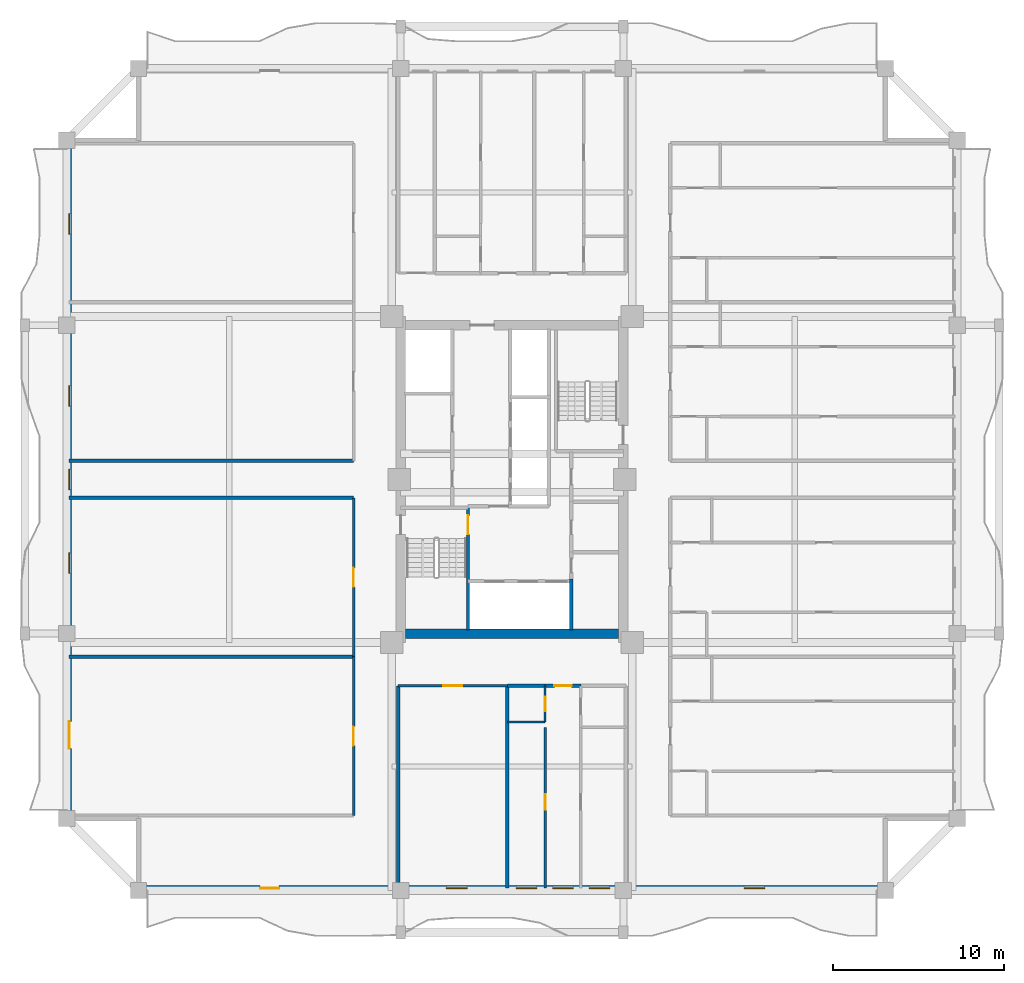
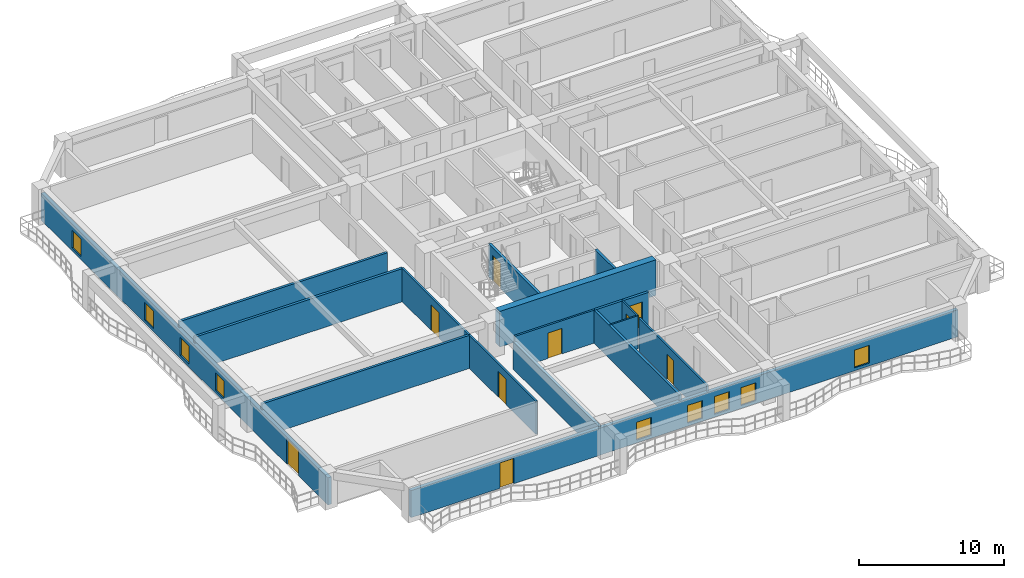
# One storey, part 2 of 12: 18 walls, 9 doors, 9 windows, 18 openings.
"""IFC4 building model written with IfcOpenShell, lengths in metres."""

import ifcopenshell
import ifcopenshell.guid

model = None  # the IFC model being written
_history = None  # IfcOwnerHistory: only IFC2X3 demands one
_inside = {}  # id of a spatial element -> (the spatial element, [elements in it])
_under = {}  # id of a project, library or spatial element -> (it, [spatial elements below it])
_declared = {}  # id of a project -> (the project, [libraries it declares])
_typed = {}  # id of a type object -> (the type object, [elements of that type])
_made_of = {}  # id of a material, layer set ... -> (it, [elements and type objects made of it])


def new_model(schema):
    """Start an empty IFC model of exactly this schema.

    Asked for "IFC4X3", IfcOpenShell would pick the latest addendum, in which some entities
    have other attributes; the version numbers below select the first issue.
    IFC2X3 requires an IfcOwnerHistory on every rooted entity: one is made here for all.
    """
    global model, _history
    if schema == "IFC4X3":
        model = ifcopenshell.file(schema_version=(4, 3, 0, 0))
    else:
        model = ifcopenshell.file(schema=schema)
    _inside.clear()
    _under.clear()
    _declared.clear()
    _typed.clear()
    _made_of.clear()
    _history = None
    if model.schema == "IFC2X3":
        org = make("IfcOrganization", Name="unknown")
        user = make(
            "IfcPersonAndOrganization",
            ThePerson=make("IfcPerson", FamilyName="unknown"),
            TheOrganization=org,
        )
        app = make(
            "IfcApplication",
            ApplicationDeveloper=org,
            Version="unknown",
            ApplicationFullName="unknown",
            ApplicationIdentifier="unknown",
        )
        _history = make(
            "IfcOwnerHistory",
            OwningUser=user,
            OwningApplication=app,
            ChangeAction="ADDED",
            CreationDate=0,
        )
    return model


def make(cls, **values):
    """One entity of the class cls with the attributes given. An attribute that is None is left unset."""
    return model.create_entity(
        cls, **{name: value for name, value in values.items() if value is not None}
    )


def rooted(cls, **values):
    """An entity with a GlobalId (a new one), such as an element, a storey or a relation."""
    return make(cls, GlobalId=ifcopenshell.guid.new(), OwnerHistory=_history, **values)


def si_unit(unit_type, name, prefix=None):
    """IfcSIUnit, for example si_unit("LENGTHUNIT", "METRE", prefix="MILLI")."""
    return make("IfcSIUnit", UnitType=unit_type, Prefix=prefix, Name=name)


def assignment(units):
    """IfcUnitAssignment: the units of a project."""
    return None if units is None else make("IfcUnitAssignment", Units=units)


def point(xyz):
    """IfcCartesianPoint."""
    return None if xyz is None else make("IfcCartesianPoint", Coordinates=xyz)


def direction(xyz):
    """IfcDirection."""
    return None if xyz is None else make("IfcDirection", DirectionRatios=xyz)


def frame(location, z_axis=None, x_axis=None):
    """IfcAxis2Placement3D, a coordinate frame: its origin and axes. An axis left out is left unset."""
    return make(
        "IfcAxis2Placement3D",
        Location=point(location),
        Axis=direction(z_axis),
        RefDirection=direction(x_axis),
    )


def frame_2d(location, x_axis=None):
    """IfcAxis2Placement2D, a coordinate frame in the plane: its origin and x axis."""
    return make(
        "IfcAxis2Placement2D", Location=point(location), RefDirection=direction(x_axis)
    )


def origin():
    """The frame at (0, 0, 0) with its axes left unset."""
    return frame((0.0, 0.0, 0.0))


def place(relative_to, where):
    """IfcLocalPlacement: puts the frame where relative to a parent placement (None: the world)."""
    return make(
        "IfcLocalPlacement", PlacementRelTo=relative_to, RelativePlacement=where
    )


def context(
    kind, dimensions, precision=None, world=None, true_north=None, identifier=None
):
    """IfcGeometricRepresentationContext, for example the 3D "Model" context."""
    return make(
        "IfcGeometricRepresentationContext",
        ContextIdentifier=identifier,
        ContextType=kind,
        CoordinateSpaceDimension=dimensions,
        Precision=precision,
        WorldCoordinateSystem=world,
        TrueNorth=true_north,
    )


def subcontext(parent, identifier, kind, view, scale=None):
    """IfcGeometricRepresentationSubContext, for example "Body" below "Model"."""
    return make(
        "IfcGeometricRepresentationSubContext",
        ContextIdentifier=identifier,
        ContextType=kind,
        ParentContext=parent,
        TargetScale=scale,
        TargetView=view,
    )


def project(units=None, contexts=None):
    """IfcProject with its units and contexts."""
    return rooted(
        "IfcProject",
        Name="project",
        RepresentationContexts=contexts,
        UnitsInContext=assignment(units),
    )


def spatial(cls, under=None, at=None, **own):
    """A site, building, storey or space (cls), placed at a placement, below another one or the project."""
    s = rooted(cls, ObjectPlacement=at, **own)
    if under is not None:
        _under.setdefault(under.id(), (under, []))[1].append(s)
    return s


def profile(cls, at=None, kind="AREA", **sizes):
    """A parametric profile (cls). Its sizes go by their IFC names, for example OverallWidth=200.0."""
    return make(cls, ProfileType=kind, Position=at, **sizes)


def rectangle(**sizes):
    """IfcRectangleProfileDef."""
    return profile("IfcRectangleProfileDef", **sizes)


def extrude(swept, where, along, depth):
    """IfcExtrudedAreaSolid: the profile swept, set in the frame where, extruded along a direction by depth."""
    return make(
        "IfcExtrudedAreaSolid",
        SweptArea=swept,
        Position=where,
        ExtrudedDirection=direction(along),
        Depth=depth,
    )


def shape(context_of_items, identifier, shape_type, items):
    """IfcShapeRepresentation: the items that make up one representation, for example the "Body"."""
    return make(
        "IfcShapeRepresentation",
        ContextOfItems=context_of_items,
        RepresentationIdentifier=identifier,
        RepresentationType=shape_type,
        Items=items,
    )


def source(mapping_origin, context_of_items, identifier, shape_type, items):
    """IfcRepresentationMap: a shape defined once, which mapped items show again and again."""
    return make(
        "IfcRepresentationMap",
        MappingOrigin=mapping_origin,
        MappedRepresentation=shape(context_of_items, identifier, shape_type, items),
    )


def transform(
    local_origin,
    x_axis=None,
    y_axis=None,
    z_axis=None,
    scale=None,
    scale2=None,
    scale3=None,
    uniform=True,
):
    """IfcCartesianTransformationOperator3D, or its non-uniform kind. x_axis, y_axis, z_axis: its Axis1, 2, 3."""
    if uniform:
        return make(
            "IfcCartesianTransformationOperator3D",
            Axis1=direction(x_axis),
            Axis2=direction(y_axis),
            LocalOrigin=point(local_origin),
            Scale=scale,
            Axis3=direction(z_axis),
        )
    return make(
        "IfcCartesianTransformationOperator3DnonUniform",
        Axis1=direction(x_axis),
        Axis2=direction(y_axis),
        LocalOrigin=point(local_origin),
        Scale=scale,
        Axis3=direction(z_axis),
        Scale2=scale2,
        Scale3=scale3,
    )


def mapped(mapping_source, mapping_target):
    """IfcMappedItem: shows the shape of a source again, moved by a transform."""
    return make(
        "IfcMappedItem", MappingSource=mapping_source, MappingTarget=mapping_target
    )


def material(Name=None, Category=None):
    """IfcMaterial."""
    return make("IfcMaterial", Name=Name, Category=Category)


def layer(
    of_material, thickness, ventilated=None, Name=None, Category=None, Priority=None
):
    """IfcMaterialLayer: one layer of a wall or slab, of a material (None: an air gap)."""
    return make(
        "IfcMaterialLayer",
        Material=of_material,
        LayerThickness=thickness,
        IsVentilated=ventilated,
        Name=Name,
        Category=Category,
        Priority=Priority,
    )


def layer_set(layers, Name=None):
    """IfcMaterialLayerSet."""
    return make("IfcMaterialLayerSet", MaterialLayers=layers, LayerSetName=Name)


def made_of(thing, what):
    """Note that an element or type object is made of a material, layer set ...; save() writes the relation."""
    if what is not None:
        _made_of.setdefault(what.id(), (what, []))[1].append(thing)
    return thing


def type_object(cls, material=None, **own):
    """A type object (cls), such as IfcWallType, which elements share."""
    return made_of(rooted(cls, **own), material)


def element(
    cls,
    number,
    at=None,
    inside=None,
    cuts=None,
    type_object=None,
    material=None,
    context=None,
    identifier="Body",
    shape_type=None,
    held_by="IfcProductDefinitionShape",
    body=None,
    shapes=None,
    **own,
):
    """One element of the class cls, such as IfcWall. Its Tag is "e" and its number.

    at: its placement. inside: the storey or other place that contains it. cuts: it is an
    opening in that element (IfcRelVoidsElement). A single representation is given by context,
    identifier, shape_type and body (its items); several are given by shapes. held_by: the class
    of the entity that holds the representations. save() writes the other relations.
    """
    e = rooted(cls, Tag="e%d" % number, ObjectPlacement=at, **own)
    if body is not None:
        shapes = [shape(context, identifier, shape_type, body)]
    if shapes is not None:
        e.Representation = make(held_by, Representations=shapes)
    if inside is not None:
        _inside.setdefault(inside.id(), (inside, []))[1].append(e)
    if cuts is not None:
        rooted(
            "IfcRelVoidsElement", RelatingBuildingElement=cuts, RelatedOpeningElement=e
        )
    if type_object is not None:
        _typed.setdefault(type_object.id(), (type_object, []))[1].append(e)
    return made_of(e, material)


def fill(opening, filler):
    """IfcRelFillsElement: the door or window that sits in an opening."""
    return rooted(
        "IfcRelFillsElement",
        RelatingOpeningElement=opening,
        RelatedBuildingElement=filler,
    )


def aggregate(whole, parts):
    """IfcRelAggregates: a whole, such as a stair, and the parts it consists of."""
    return rooted("IfcRelAggregates", RelatingObject=whole, RelatedObjects=parts)


def save(model, path):
    """Write the relations noted so far, then the file.

    IfcRelAggregates (storeys below a building ...), IfcRelContainedInSpatialStructure (elements
    in a storey), IfcRelDefinesByType, IfcRelAssociatesMaterial and IfcRelDeclares: one each for
    every whole, place, type object, material and project.
    """
    for whole, parts in _under.values():
        aggregate(whole, parts)
    for where, things in _inside.values():
        rooted(
            "IfcRelContainedInSpatialStructure",
            RelatedElements=things,
            RelatingStructure=where,
        )
    for kind, things in _typed.values():
        rooted("IfcRelDefinesByType", RelatedObjects=things, RelatingType=kind)
    for what, things in _made_of.values():
        rooted("IfcRelAssociatesMaterial", RelatedObjects=things, RelatingMaterial=what)
    for by, libraries in _declared.values():
        rooted("IfcRelDeclares", RelatingContext=by, RelatedDefinitions=libraries)
    model.write(path)


model = new_model("IFC4")

# Units and contexts
model_context = context("Model", 3, precision=1e-05, world=origin(), true_north=direction((0.0, 1.0)))
body_context = subcontext(model_context, "Body", "Model", "MODEL_VIEW")
ifc_project = project(units=[si_unit("LENGTHUNIT", "METRE"), si_unit("AREAUNIT", "SQUARE_METRE"), si_unit("VOLUMEUNIT", "CUBIC_METRE"), si_unit("PLANEANGLEUNIT", "RADIAN"), si_unit("MASSUNIT", "GRAM", prefix="KILO")], contexts=[model_context])

# Site, building, storey
site_placement = place(None, origin())
site = spatial("IfcSite", under=ifc_project, at=site_placement, CompositionType="ELEMENT")
building_placement = place(site_placement, origin())
building = spatial("IfcBuilding", under=site, at=building_placement, Name="Saelheon Loggia Tower", CompositionType="ELEMENT")
storey_placement = place(building_placement, frame((0.0, 0.0, 101.85009765625)))
storey = spatial("IfcBuildingStorey", under=building, at=storey_placement, Name="L32", CompositionType="ELEMENT", Elevation=101.85009765625)

# Wall
ifc_material_1 = material(Name="Concrete C50/60", Category="concrete")
ifc_layer_1 = layer(ifc_material_1, 0.550048828125)
ifc_layer_set_1 = layer_set([ifc_layer_1], Name="Concrete C50/60")
wall_type_1 = type_object("IfcWallType", Name="Wall_CoreShear_550", PredefinedType="SHEAR", material=ifc_layer_set_1)
wall_1_placement = place(storey_placement, frame((31.77490234375, 18.0, 0.0), z_axis=(0.0, 0.0, 1.0), x_axis=(1.0, 0.0, 0.0)))
element("IfcWall", 1, at=wall_1_placement, inside=storey, type_object=wall_type_1, Name="L32 Core Shear Wall South", PredefinedType="SHEAR", context=body_context, shape_type="SweptSolid", body=[
    extrude(rectangle(XDim=12.4501953125, YDim=0.550048828125, at=frame_2d((6.22509765625, 0.0))), origin(), (0.0, 0.0, 1.0), 3.0),
])

# Wall, openings, windows, door
ifc_material_2 = material(Name="Architectural Precast Concrete C40/50", Category="concrete")
ifc_layer_2 = layer(ifc_material_2, 0.280029296875)
ifc_layer_set_2 = layer_set([ifc_layer_2], Name="Architectural Precast Concrete C40/50")
wall_type_2 = type_object("IfcWallType", Name="Wall_Ext_Loggia_280", PredefinedType="SOLIDWALL", material=ifc_layer_set_2)
wall_2_placement = place(storey_placement, frame((16.199951171875, 3.139892578125, 0.0), z_axis=(0.0, 0.0, 1.0), x_axis=(1.0, 0.0, 0.0)))
wall_2 = element("IfcWall", 2, at=wall_2_placement, inside=storey, type_object=wall_type_2, Name="L32 South Loggia Inner Wall", PredefinedType="SOLIDWALL", context=body_context, shape_type="SweptSolid", body=[
    extrude(rectangle(XDim=43.60009765625, YDim=0.280029296875, at=frame_2d((21.800048828125, 0.0))), origin(), (0.0, 0.0, 1.0), 2.27978515625),
])
opening_1_placement = place(wall_2_placement, frame((8.2001953125, 0.0, 0.0), z_axis=(0.0, 0.0, 1.0), x_axis=(-1.0, 0.0, 0.0)))
opening_1 = element("IfcOpeningElement", 3, at=opening_1_placement, cuts=wall_2, Name="Opening TD1", PredefinedType="OPENING", context=body_context, shape_type="SweptSolid", body=[
    extrude(rectangle(XDim=1.10009765625, YDim=2.14990234375, at=frame_2d((0.550048828125, 1.074951171875))), frame((0.0, 0.152099609375, 0.0), z_axis=(0.0, -1.0, 0.0), x_axis=(1.0, 0.0, 0.0)), (0.0, 0.0, 1.0), 0.303955078125),
])
opening_2_placement = place(wall_2_placement, frame((17.974609375, 0.0, 0.25)))
opening_2 = element("IfcOpeningElement", 4, at=opening_2_placement, cuts=wall_2, Name="Opening WN-03", PredefinedType="OPENING", context=body_context, shape_type="SweptSolid", body=[
    extrude(rectangle(XDim=1.199951171875, YDim=1.5, at=frame_2d((0.60009765625, 0.75))), frame((0.0, 0.152099609375, 0.0), z_axis=(0.0, -1.0, 0.0), x_axis=(1.0, 0.0, 0.0)), (0.0, 0.0, 1.0), 0.303955078125),
])
opening_3_placement = place(wall_2_placement, frame((22.033935546875, 0.0, 0.25)))
opening_3 = element("IfcOpeningElement", 5, at=opening_3_placement, cuts=wall_2, Name="Opening WN-03", PredefinedType="OPENING", context=body_context, shape_type="SweptSolid", body=[
    extrude(rectangle(XDim=1.199951171875, YDim=1.5, at=frame_2d((0.60009765625, 0.75))), frame((0.0, 0.152099609375, 0.0), z_axis=(0.0, -1.0, 0.0), x_axis=(1.0, 0.0, 0.0)), (0.0, 0.0, 1.0), 0.303955078125),
])
opening_4_placement = place(wall_2_placement, frame((24.177978515625, 0.0, 0.25)))
opening_4 = element("IfcOpeningElement", 6, at=opening_4_placement, cuts=wall_2, Name="Opening WN-03", PredefinedType="OPENING", context=body_context, shape_type="SweptSolid", body=[
    extrude(rectangle(XDim=1.199951171875, YDim=1.5, at=frame_2d((0.60009765625, 0.75))), frame((0.0, 0.152099609375, 0.0), z_axis=(0.0, -1.0, 0.0), x_axis=(1.0, 0.0, 0.0)), (0.0, 0.0, 1.0), 0.303955078125),
])
opening_5_placement = place(wall_2_placement, frame((26.303466796875, 0.0, 0.25)))
opening_5 = element("IfcOpeningElement", 7, at=opening_5_placement, cuts=wall_2, Name="Opening WN-03", PredefinedType="OPENING", context=body_context, shape_type="SweptSolid", body=[
    extrude(rectangle(XDim=1.199951171875, YDim=1.5, at=frame_2d((0.60009765625, 0.75))), frame((0.0, 0.152099609375, 0.0), z_axis=(0.0, -1.0, 0.0), x_axis=(1.0, 0.0, 0.0)), (0.0, 0.0, 1.0), 0.303955078125),
])
opening_6_placement = place(wall_2_placement, frame((35.35009765625, 0.0, 0.25)))
opening_6 = element("IfcOpeningElement", 8, at=opening_6_placement, cuts=wall_2, Name="Opening WN-03", PredefinedType="OPENING", context=body_context, shape_type="SweptSolid", body=[
    extrude(rectangle(XDim=1.199951171875, YDim=1.5, at=frame_2d((0.60009765625, 0.75))), frame((0.0, 0.152099609375, 0.0), z_axis=(0.0, -1.0, 0.0), x_axis=(1.0, 0.0, 0.0)), (0.0, 0.0, 1.0), 0.303955078125),
])
ifc_material_3 = material(Name="Thermal-Break Aluminium and Triple Low-E Glass", Category="aluminium")
window_type = type_object("IfcWindowType", Name="Win_Bedroom_1200x1500", PartitioningType="SINGLE_PANEL", PredefinedType="WINDOW", material=ifc_material_3)
shared_shape_1 = source(origin(), body_context, "Body", "SweptSolid", [
    extrude(rectangle(XDim=1.199951171875, YDim=1.5, at=frame_2d((0.60009765625, 0.75))), frame((0.0, 0.030029296875, 0.0), z_axis=(0.0, -1.0, 0.0), x_axis=(1.0, 0.0, 0.0)), (0.0, 0.0, 1.0), 0.06005859375),
])
window_1_placement = place(opening_2_placement, origin())
window_1 = element("IfcWindow", 9, at=window_1_placement, inside=storey, type_object=window_type, Name="L32 S Dwelling Window 2", OverallHeight=1.5, OverallWidth=1.199951171875, PartitioningType="SINGLE_PANEL", PredefinedType="WINDOW", context=body_context, shape_type="MappedRepresentation", body=[
    mapped(shared_shape_1, transform((0.0, 0.0, 0.0), scale=1.0)),
])
fill(opening_2, window_1)
window_2_placement = place(opening_3_placement, origin())
window_2 = element("IfcWindow", 10, at=window_2_placement, inside=storey, type_object=window_type, Name="L32 S Dwelling Window 3", OverallHeight=1.5, OverallWidth=1.199951171875, PartitioningType="SINGLE_PANEL", PredefinedType="WINDOW", context=body_context, shape_type="MappedRepresentation", body=[
    mapped(shared_shape_1, transform((0.0, 0.0, 0.0), scale=1.0)),
])
fill(opening_3, window_2)
window_3_placement = place(opening_4_placement, origin())
window_3 = element("IfcWindow", 11, at=window_3_placement, inside=storey, type_object=window_type, Name="L32 S Dwelling Window 4", OverallHeight=1.5, OverallWidth=1.199951171875, PartitioningType="SINGLE_PANEL", PredefinedType="WINDOW", context=body_context, shape_type="MappedRepresentation", body=[
    mapped(shared_shape_1, transform((0.0, 0.0, 0.0), scale=1.0)),
])
fill(opening_4, window_3)
window_4_placement = place(opening_5_placement, origin())
window_4 = element("IfcWindow", 12, at=window_4_placement, inside=storey, type_object=window_type, Name="L32 S Dwelling Window 5", OverallHeight=1.5, OverallWidth=1.199951171875, PartitioningType="SINGLE_PANEL", PredefinedType="WINDOW", context=body_context, shape_type="MappedRepresentation", body=[
    mapped(shared_shape_1, transform((0.0, 0.0, 0.0), scale=1.0)),
])
fill(opening_5, window_4)
window_5_placement = place(opening_6_placement, origin())
window_5 = element("IfcWindow", 13, at=window_5_placement, inside=storey, type_object=window_type, Name="L32 S Dwelling Window 6", OverallHeight=1.5, OverallWidth=1.199951171875, PartitioningType="SINGLE_PANEL", PredefinedType="WINDOW", context=body_context, shape_type="MappedRepresentation", body=[
    mapped(shared_shape_1, transform((0.0, 0.0, 0.0), scale=1.0)),
])
fill(opening_6, window_5)
ifc_material_4 = material(Name="Thermal-Break Aluminium Glazed Door", Category="aluminium")
door_type_1 = type_object("IfcDoorType", Name="Door_Terrace_TD1", OperationType="NOTDEFINED", PredefinedType="DOOR", material=ifc_material_4)
shared_shape_2 = source(origin(), body_context, "Body", "SweptSolid", [
    extrude(rectangle(XDim=1.10009765625, YDim=2.14990234375, at=frame_2d((0.550048828125, 1.074951171875))), frame((0.0, 0.02490234375, 0.0), z_axis=(0.0, -1.0, 0.0), x_axis=(1.0, 0.0, 0.0)), (0.0, 0.0, 1.0), 0.050048828125),
])
door_1_placement = place(opening_1_placement, origin())
door_1 = element("IfcDoor", 14, at=door_1_placement, inside=storey, type_object=door_type_1, Name="L32 S Loggia Access Door", OperationType="SINGLE_SWING_LEFT", OverallHeight=2.14990234375, OverallWidth=1.10009765625, PredefinedType="DOOR", context=body_context, shape_type="MappedRepresentation", body=[
    mapped(shared_shape_2, transform((0.0, 0.0, 0.0), scale=1.0)),
])
fill(opening_1, door_1)

wall_3_placement = place(storey_placement, frame((12.139892578125, 7.199951171875, 0.0), z_axis=(0.0, 0.0, 1.0), x_axis=(0.0, 1.0, 0.0)))
wall_3 = element("IfcWall", 15, at=wall_3_placement, inside=storey, type_object=wall_type_2, Name="L32 West Loggia Inner Wall", PredefinedType="SOLIDWALL", context=body_context, shape_type="SweptSolid", body=[
    extrude(rectangle(XDim=39.60009765625, YDim=0.280029296875, at=frame_2d((19.800048828125, 0.0))), origin(), (0.0, 0.0, 1.0), 2.27978515625),
])
opening_7_placement = place(wall_3_placement, frame((4.08251953125, 0.0, 0.0)))
opening_7 = element("IfcOpeningElement", 16, at=opening_7_placement, cuts=wall_3, Name="Opening DLG-1", PredefinedType="OPENING", context=body_context, shape_type="SweptSolid", body=[
    extrude(rectangle(XDim=1.60009765625, YDim=2.14990234375, at=frame_2d((0.800048828125, 1.074951171875))), frame((0.0, 0.152099609375, 0.0), z_axis=(0.0, -1.0, 0.0), x_axis=(1.0, 0.0, 0.0)), (0.0, 0.0, 1.0), 0.303955078125),
])
opening_8_placement = place(wall_3_placement, frame((14.3173828125, 0.0, 0.25)))
opening_8 = element("IfcOpeningElement", 17, at=opening_8_placement, cuts=wall_3, Name="Opening WN-03", PredefinedType="OPENING", context=body_context, shape_type="SweptSolid", body=[
    extrude(rectangle(XDim=1.199951171875, YDim=1.5, at=frame_2d((0.60009765625, 0.75))), frame((0.0, 0.152099609375, 0.0), z_axis=(0.0, -1.0, 0.0), x_axis=(1.0, 0.0, 0.0)), (0.0, 0.0, 1.0), 0.303955078125),
])
opening_9_placement = place(wall_3_placement, frame((19.199951171875, 0.0, 0.25)))
opening_9 = element("IfcOpeningElement", 18, at=opening_9_placement, cuts=wall_3, Name="Opening WN-03", PredefinedType="OPENING", context=body_context, shape_type="SweptSolid", body=[
    extrude(rectangle(XDim=1.199951171875, YDim=1.5, at=frame_2d((0.60009765625, 0.75))), frame((0.0, 0.152099609375, 0.0), z_axis=(0.0, -1.0, 0.0), x_axis=(1.0, 0.0, 0.0)), (0.0, 0.0, 1.0), 0.303955078125),
])
opening_10_placement = place(wall_3_placement, frame((24.08251953125, 0.0, 0.25)))
opening_10 = element("IfcOpeningElement", 19, at=opening_10_placement, cuts=wall_3, Name="Opening WN-03", PredefinedType="OPENING", context=body_context, shape_type="SweptSolid", body=[
    extrude(rectangle(XDim=1.199951171875, YDim=1.5, at=frame_2d((0.60009765625, 0.75))), frame((0.0, 0.152099609375, 0.0), z_axis=(0.0, -1.0, 0.0), x_axis=(1.0, 0.0, 0.0)), (0.0, 0.0, 1.0), 0.303955078125),
])
opening_11_placement = place(wall_3_placement, frame((34.117431640625, 0.0, 0.25)))
opening_11 = element("IfcOpeningElement", 20, at=opening_11_placement, cuts=wall_3, Name="Opening WN-03", PredefinedType="OPENING", context=body_context, shape_type="SweptSolid", body=[
    extrude(rectangle(XDim=1.199951171875, YDim=1.5, at=frame_2d((0.60009765625, 0.75))), frame((0.0, 0.152099609375, 0.0), z_axis=(0.0, -1.0, 0.0), x_axis=(1.0, 0.0, 0.0)), (0.0, 0.0, 1.0), 0.303955078125),
])
window_6_placement = place(opening_8_placement, origin())
window_6 = element("IfcWindow", 21, at=window_6_placement, inside=storey, type_object=window_type, Name="L32 W Dwelling Window 2", OverallHeight=1.5, OverallWidth=1.199951171875, PartitioningType="SINGLE_PANEL", PredefinedType="WINDOW", context=body_context, shape_type="MappedRepresentation", body=[
    mapped(shared_shape_1, transform((0.0, 0.0, 0.0), scale=1.0)),
])
fill(opening_8, window_6)
window_7_placement = place(opening_9_placement, origin())
window_7 = element("IfcWindow", 22, at=window_7_placement, inside=storey, type_object=window_type, Name="L32 W Dwelling Window 3", OverallHeight=1.5, OverallWidth=1.199951171875, PartitioningType="SINGLE_PANEL", PredefinedType="WINDOW", context=body_context, shape_type="MappedRepresentation", body=[
    mapped(shared_shape_1, transform((0.0, 0.0, 0.0), scale=1.0)),
])
fill(opening_9, window_7)
window_8_placement = place(opening_10_placement, origin())
window_8 = element("IfcWindow", 23, at=window_8_placement, inside=storey, type_object=window_type, Name="L32 W Dwelling Window 4", OverallHeight=1.5, OverallWidth=1.199951171875, PartitioningType="SINGLE_PANEL", PredefinedType="WINDOW", context=body_context, shape_type="MappedRepresentation", body=[
    mapped(shared_shape_1, transform((0.0, 0.0, 0.0), scale=1.0)),
])
fill(opening_10, window_8)
window_9_placement = place(opening_11_placement, origin())
window_9 = element("IfcWindow", 24, at=window_9_placement, inside=storey, type_object=window_type, Name="L32 W Dwelling Window 5", OverallHeight=1.5, OverallWidth=1.199951171875, PartitioningType="SINGLE_PANEL", PredefinedType="WINDOW", context=body_context, shape_type="MappedRepresentation", body=[
    mapped(shared_shape_1, transform((0.0, 0.0, 0.0), scale=1.0)),
])
fill(opening_11, window_9)
ifc_material_5 = material(Name="Thermal-Break Aluminium Sliding Glazed Door", Category="aluminium")
door_type_2 = type_object("IfcDoorType", Name="Door_LoggiaSlide_1600", OperationType="SLIDING_TO_LEFT", PredefinedType="DOOR", material=ifc_material_5)
shared_shape_3 = source(origin(), body_context, "Body", "SweptSolid", [
    extrude(rectangle(XDim=1.60009765625, YDim=2.14990234375, at=frame_2d((0.800048828125, 1.074951171875))), frame((0.0, 0.02490234375, 0.0), z_axis=(0.0, -1.0, 0.0), x_axis=(1.0, 0.0, 0.0)), (0.0, 0.0, 1.0), 0.050048828125),
])
door_2_placement = place(opening_7_placement, origin())
door_2 = element("IfcDoor", 25, at=door_2_placement, inside=storey, type_object=door_type_2, Name="L32 W Loggia Access Door", OperationType="SLIDING_TO_LEFT", OverallHeight=2.14990234375, OverallWidth=1.60009765625, PredefinedType="DOOR", context=body_context, shape_type="MappedRepresentation", body=[
    mapped(shared_shape_3, transform((0.0, 0.0, 0.0), scale=1.0)),
])
fill(opening_7, door_2)

# Wall, opening, door
ifc_material_6 = material(Name="Lightweight Autoclaved Aerated Concrete Block and Acoustic Gypsum", Category="concrete")
ifc_layer_3 = layer(ifc_material_6, 0.14990234375)
ifc_layer_set_3 = layer_set([ifc_layer_3], Name="Lightweight Autoclaved Aerated Concrete Block and Acoustic Gypsum")
wall_type_3 = type_object("IfcWallType", Name="Wall_Part_150", PredefinedType="PARTITIONING", material=ifc_layer_set_3)
wall_4_placement = place(storey_placement, frame((31.35009765625, 14.949951171875, 0.0), z_axis=(0.0, 0.0, 1.0), x_axis=(1.0, 0.0, 0.0)))
wall_4 = element("IfcWall", 26, at=wall_4_placement, inside=storey, type_object=wall_type_3, Name="L32 S Partition V03", PredefinedType="PARTITIONING", context=body_context, shape_type="SweptSolid", body=[
    extrude(rectangle(XDim=6.3837890625, YDim=0.14990234375, at=frame_2d((3.19189453125, 0.0))), origin(), (0.0, 0.0, 1.0), 2.789794921875),
])
opening_12_placement = place(wall_4_placement, frame((2.64208984375, 0.0, 0.0)))
opening_12 = element("IfcOpeningElement", 27, at=opening_12_placement, cuts=wall_4, Name="Opening D-FD2", PredefinedType="OPENING", context=body_context, shape_type="SweptSolid", body=[
    extrude(rectangle(XDim=1.10009765625, YDim=2.14990234375, at=frame_2d((0.550048828125, 1.074951171875))), frame((0.0, 0.0869140625, 0.0), z_axis=(0.0, -1.0, 0.0), x_axis=(1.0, 0.0, 0.0)), (0.0, 0.0, 1.0), 0.173828125),
])
ifc_material_7 = material(Name="Galvanised Steel Fire Door", Category="steel")
door_type_3 = type_object("IfcDoorType", Name="Door_Fire_FD60_1100", OperationType="NOTDEFINED", PredefinedType="DOOR", material=ifc_material_7)
door_3_placement = place(opening_12_placement, origin())
door_3 = element("IfcDoor", 28, at=door_3_placement, inside=storey, type_object=door_type_3, Name="L32 Community Reading Library Door A", OperationType="SINGLE_SWING_LEFT", OverallHeight=2.14990234375, OverallWidth=1.10009765625, PredefinedType="DOOR", context=body_context, shape_type="MappedRepresentation", body=[
    mapped(shared_shape_2, transform((0.0, 0.0, 0.0), scale=1.0)),
])
fill(opening_12, door_3)

wall_5_placement = place(storey_placement, frame((39.93408203125, 12.530029296875, 0.0), z_axis=(0.0, 0.0, 1.0), x_axis=(0.0, -1.0, 0.0)))
wall_5 = element("IfcWall", 29, at=wall_5_placement, inside=storey, type_object=wall_type_3, Name="L32 S Partition U11", PredefinedType="PARTITIONING", context=body_context, shape_type="SweptSolid", body=[
    extrude(rectangle(XDim=9.380126953125, YDim=0.14990234375, at=frame_2d((4.68994140625, 0.0))), origin(), (0.0, 0.0, 1.0), 2.789794921875),
])
opening_13_placement = place(wall_5_placement, frame((3.90673828125, 0.0, 0.0)))
opening_13 = element("IfcOpeningElement", 30, at=opening_13_placement, cuts=wall_5, Name="Opening D-IN2", PredefinedType="OPENING", context=body_context, shape_type="SweptSolid", body=[
    extrude(rectangle(XDim=0.89990234375, YDim=2.10009765625, at=frame_2d((0.449951171875, 1.050048828125))), frame((0.0, 0.0869140625, 0.0), z_axis=(0.0, -1.0, 0.0), x_axis=(1.0, 0.0, 0.0)), (0.0, 0.0, 1.0), 0.173828125),
])
ifc_material_8 = material(Name="Engineered Oak Flush Door", Category="timber")
door_type_4 = type_object("IfcDoorType", Name="Door_Int_900", OperationType="NOTDEFINED", PredefinedType="DOOR", material=ifc_material_8)
shared_shape_4 = source(origin(), body_context, "Body", "SweptSolid", [
    extrude(rectangle(XDim=0.89990234375, YDim=2.10009765625, at=frame_2d((0.449951171875, 1.050048828125))), frame((0.0, 0.02490234375, 0.0), z_axis=(0.0, -1.0, 0.0), x_axis=(1.0, 0.0, 0.0)), (0.0, 0.0, 1.0), 0.050048828125),
])
door_4_placement = place(opening_13_placement, origin())
door_4 = element("IfcDoor", 31, at=door_4_placement, inside=storey, type_object=door_type_4, Name="Unit U01 Kitchen Door", OperationType="SINGLE_SWING_RIGHT", OverallHeight=2.10009765625, OverallWidth=0.89990234375, PredefinedType="DOOR", context=body_context, shape_type="MappedRepresentation", body=[
    mapped(shared_shape_4, transform((0.0, 0.0, 0.0), scale=1.0)),
])
fill(opening_13, door_4)

wall_6_placement = place(storey_placement, frame((28.75, 7.3798828125, 0.0), z_axis=(0.0, 0.0, 1.0), x_axis=(0.0, 1.0, 0.0)))
wall_6 = element("IfcWall", 32, at=wall_6_placement, inside=storey, type_object=wall_type_3, Name="L32 WS Partition V03", PredefinedType="PARTITIONING", context=body_context, shape_type="SweptSolid", body=[
    extrude(rectangle(XDim=9.27001953125, YDim=0.14990234375, at=frame_2d((4.635009765625, 0.0))), origin(), (0.0, 0.0, 1.0), 2.789794921875),
])
opening_14_placement = place(wall_6_placement, frame((4.0849609375, 0.0, 0.0)))
opening_14 = element("IfcOpeningElement", 33, at=opening_14_placement, cuts=wall_6, Name="Opening D-FD2", PredefinedType="OPENING", context=body_context, shape_type="SweptSolid", body=[
    extrude(rectangle(XDim=1.10009765625, YDim=2.14990234375, at=frame_2d((0.550048828125, 1.074951171875))), frame((0.0, 0.0869140625, 0.0), z_axis=(0.0, -1.0, 0.0), x_axis=(1.0, 0.0, 0.0)), (0.0, 0.0, 1.0), 0.173828125),
])
door_5_placement = place(opening_14_placement, origin())
door_5 = element("IfcDoor", 34, at=door_5_placement, inside=storey, type_object=door_type_3, Name="L32 Resident Seminar and Study Hall Door A", OperationType="SINGLE_SWING_RIGHT", OverallHeight=2.14990234375, OverallWidth=1.10009765625, PredefinedType="DOOR", context=body_context, shape_type="MappedRepresentation", body=[
    mapped(shared_shape_2, transform((0.0, 0.0, 0.0), scale=1.0)),
])
fill(opening_14, door_5)

wall_7_placement = place(storey_placement, frame((28.75, 16.64990234375, 0.0), z_axis=(0.0, 0.0, 1.0), x_axis=(0.0, 1.0, 0.0)))
wall_7 = element("IfcWall", 35, at=wall_7_placement, inside=storey, type_object=wall_type_3, Name="L32 WS Partition V05", PredefinedType="PARTITIONING", context=body_context, shape_type="SweptSolid", body=[
    extrude(rectangle(XDim=9.27001953125, YDim=0.14990234375, at=frame_2d((4.635009765625, 0.0))), origin(), (0.0, 0.0, 1.0), 2.789794921875),
])
opening_15_placement = place(wall_7_placement, frame((4.0849609375, 0.0, 0.0)))
opening_15 = element("IfcOpeningElement", 36, at=opening_15_placement, cuts=wall_7, Name="Opening D-FD2", PredefinedType="OPENING", context=body_context, shape_type="SweptSolid", body=[
    extrude(rectangle(XDim=1.10009765625, YDim=2.14990234375, at=frame_2d((0.550048828125, 1.074951171875))), frame((0.0, 0.0869140625, 0.0), z_axis=(0.0, -1.0, 0.0), x_axis=(1.0, 0.0, 0.0)), (0.0, 0.0, 1.0), 0.173828125),
])
door_6_placement = place(opening_15_placement, origin())
door_6 = element("IfcDoor", 37, at=door_6_placement, inside=storey, type_object=door_type_3, Name="L32 Resident Seminar and Study Hall Door A", OperationType="SINGLE_SWING_LEFT", OverallHeight=2.14990234375, OverallWidth=1.10009765625, PredefinedType="DOOR", context=body_context, shape_type="MappedRepresentation", body=[
    mapped(shared_shape_2, transform((0.0, 0.0, 0.0), scale=1.0)),
])
fill(opening_15, door_6)

# Walls
ifc_material_9 = material(Name="Double Acoustic Stud and Fireboard Partition", Category="gypsum")
ifc_layer_4 = layer(ifc_material_9, 0.199951171875)
ifc_layer_set_4 = layer_set([ifc_layer_4], Name="Double Acoustic Stud and Fireboard Partition")
wall_type_4 = type_object("IfcWallType", Name="Wall_Party_200", PredefinedType="PARTITIONING", material=ifc_layer_set_4)
wall_8_placement = place(storey_placement, frame((31.35009765625, 14.949951171875, 0.0), z_axis=(0.0, 0.0, 1.0), x_axis=(0.0, -1.0, 0.0)))
element("IfcWall", 38, at=wall_8_placement, inside=storey, type_object=wall_type_4, Name="L32 S Partition U01", PredefinedType="PARTITIONING", context=body_context, shape_type="SweptSolid", body=[
    extrude(rectangle(XDim=11.800048828125, YDim=0.199951171875, at=frame_2d((5.89990234375, 0.0))), origin(), (0.0, 0.0, 1.0), 2.33984375),
])
wall_9_placement = place(storey_placement, frame((37.73388671875, 14.949951171875, 0.0), z_axis=(0.0, 0.0, 1.0), x_axis=(0.0, -1.0, 0.0)))
element("IfcWall", 39, at=wall_9_placement, inside=storey, type_object=wall_type_4, Name="L32 S Partition U04", PredefinedType="PARTITIONING", context=body_context, shape_type="SweptSolid", body=[
    extrude(rectangle(XDim=11.800048828125, YDim=0.199951171875, at=frame_2d((5.89990234375, 0.0))), origin(), (0.0, 0.0, 1.0), 2.789794921875),
])
wall_10_placement = place(storey_placement, frame((37.73388671875, 14.949951171875, 0.0), z_axis=(0.0, 0.0, 1.0), x_axis=(1.0, 0.0, 0.0)))
element("IfcWall", 40, at=wall_10_placement, inside=storey, type_object=wall_type_4, Name="L32 S Partition V05", PredefinedType="PARTITIONING", context=body_context, shape_type="SweptSolid", body=[
    extrude(rectangle(XDim=2.2001953125, YDim=0.199951171875, at=frame_2d((1.10009765625, 0.0))), origin(), (0.0, 0.0, 1.0), 2.789794921875),
])

# Wall, opening, door
wall_11_placement = place(storey_placement, frame((39.93408203125, 14.949951171875, 0.0), z_axis=(0.0, 0.0, 1.0), x_axis=(1.0, 0.0, 0.0)))
wall_11 = element("IfcWall", 41, at=wall_11_placement, inside=storey, type_object=wall_type_4, Name="L32 S Partition V06", PredefinedType="PARTITIONING", context=body_context, shape_type="SweptSolid", body=[
    extrude(rectangle(XDim=2.087890625, YDim=0.199951171875, at=frame_2d((1.0439453125, 0.0))), origin(), (0.0, 0.0, 1.0), 2.789794921875),
])
opening_16_placement = place(wall_11_placement, frame((0.5439453125, 0.0, 0.0)))
opening_16 = element("IfcOpeningElement", 42, at=opening_16_placement, cuts=wall_11, Name="Opening D-FD1", PredefinedType="OPENING", context=body_context, shape_type="SweptSolid", body=[
    extrude(rectangle(XDim=1.0, YDim=2.14990234375, at=frame_2d((0.5, 1.074951171875))), frame((0.0, 0.112060546875, 0.0), z_axis=(0.0, -1.0, 0.0), x_axis=(1.0, 0.0, 0.0)), (0.0, 0.0, 1.0), 0.223876953125),
])
ifc_material_10 = material(Name="Fire-Rated Engineered Timber Entrance Door", Category="wood")
door_type_5 = type_object("IfcDoorType", Name="Door_Flat_FD30S", OperationType="NOTDEFINED", PredefinedType="DOOR", material=ifc_material_10)
shared_shape_5 = source(origin(), body_context, "Body", "SweptSolid", [
    extrude(rectangle(XDim=1.0, YDim=2.14990234375, at=frame_2d((0.5, 1.074951171875))), frame((0.0, 0.02490234375, 0.0), z_axis=(0.0, -1.0, 0.0), x_axis=(1.0, 0.0, 0.0)), (0.0, 0.0, 1.0), 0.050048828125),
])
door_7_placement = place(opening_16_placement, origin())
door_7 = element("IfcDoor", 43, at=door_7_placement, inside=storey, type_object=door_type_5, Name="Unit U01 Entrance Door", OperationType="SINGLE_SWING_RIGHT", OverallHeight=2.14990234375, OverallWidth=1.0, PredefinedType="DOOR", context=body_context, shape_type="MappedRepresentation", body=[
    mapped(shared_shape_5, transform((0.0, 0.0, 0.0), scale=1.0)),
])
fill(opening_16, door_7)

# Walls
for number, where, z_axis, x_axis, name in (
    (44, (28.75, 25.919921875, 0.0), (0.0, 0.0, 1.0), (-1.0, 0.0, 0.0), "L32 WS Partition U02"),
    (45, (28.75, 16.64990234375, 0.0), (0.0, 0.0, 1.0), (-1.0, 0.0, 0.0), "L32 WS Partition U04"),
    (46, (28.75, 28.080078125, 0.0), (0.0, 0.0, 1.0), (-1.0, 0.0, 0.0), "L32 WN Partition U01"),
):
    element("IfcWall", number, at=place(storey_placement, frame(where, z_axis=z_axis, x_axis=x_axis)), inside=storey, type_object=wall_type_4, Name=name, PredefinedType="PARTITIONING", context=body_context, shape_type="SweptSolid", body=[
        extrude(rectangle(XDim=16.60009765625, YDim=0.199951171875, at=frame_2d((8.300048828125, 0.0))), origin(), (0.0, 0.0, 1.0), 2.789794921875),
    ])
ifc_material_11 = material(Name="Concrete C40/50", Category="concrete")
ifc_layer_5 = layer(ifc_material_11, 0.199951171875)
ifc_layer_set_5 = layer_set([ifc_layer_5], Name="Concrete C40/50")
wall_type_5 = type_object("IfcWallType", Name="Wall_Shaft_200", PredefinedType="PARTITIONING", material=ifc_layer_set_5)
wall_12_placement = place(storey_placement, frame((41.449951171875, 18.219970703125, 0.0), z_axis=(0.0, 0.0, 1.0), x_axis=(0.0, 1.0, 0.0)))
element("IfcWall", 47, at=wall_12_placement, inside=storey, type_object=wall_type_5, Name="CW-INT-L32-BOH-W0", PredefinedType="PARTITIONING", context=body_context, shape_type="SweptSolid", body=[
    extrude(rectangle(XDim=2.9599609375, YDim=0.199951171875, at=frame_2d((1.47998046875, 0.0))), origin(), (0.0, 0.0, 1.0), 2.789794921875),
])

# Wall, opening, door
ifc_material_12 = material(Name="Concrete C45/55", Category="concrete")
ifc_layer_6 = layer(ifc_material_12, 0.199951171875)
ifc_layer_set_6 = layer_set([ifc_layer_6], Name="Concrete C45/55")
wall_type_6 = type_object("IfcWallType", Name="Wall_StairShaft_RC200", PredefinedType="SOLIDWALL", material=ifc_layer_set_6)
wall_13_placement = place(storey_placement, frame((35.429931640625, 18.219970703125, 0.0), z_axis=(0.0, 0.0, 1.0), x_axis=(0.0, 1.0, 0.0)))
wall_13 = element("IfcWall", 48, at=wall_13_placement, inside=storey, type_object=wall_type_6, Name="L32 Stair ST1 Shaft Wall", PredefinedType="SOLIDWALL", context=body_context, shape_type="SweptSolid", body=[
    extrude(rectangle(XDim=7.219970703125, YDim=0.199951171875, at=frame_2d((3.60986328125, 0.0))), origin(), (0.0, 0.0, 1.0), 2.789794921875),
])
opening_17_placement = place(wall_13_placement, frame((6.68017578125, 0.0, 0.0), z_axis=(0.0, 0.0, 1.0), x_axis=(-1.0, 0.0, 0.0)))
opening_17 = element("IfcOpeningElement", 49, at=opening_17_placement, cuts=wall_13, Name="Opening D-FD2", PredefinedType="OPENING", context=body_context, shape_type="SweptSolid", body=[
    extrude(rectangle(XDim=1.10009765625, YDim=2.14990234375, at=frame_2d((0.550048828125, 1.074951171875))), frame((0.0, 0.112060546875, 0.0), z_axis=(0.0, -1.0, 0.0), x_axis=(1.0, 0.0, 0.0)), (0.0, 0.0, 1.0), 0.223876953125),
])
door_8_placement = place(opening_17_placement, origin())
door_8 = element("IfcDoor", 50, at=door_8_placement, inside=storey, type_object=door_type_3, Name="L32 Stair ST1 Lobby Door", OperationType="SINGLE_SWING_RIGHT", OverallHeight=2.14990234375, OverallWidth=1.10009765625, PredefinedType="DOOR", context=body_context, shape_type="MappedRepresentation", body=[
    mapped(shared_shape_2, transform((0.0, 0.0, 0.0), scale=1.0)),
])
fill(opening_17, door_8)

# Wall
ifc_material_13 = material(Name="Moisture-Resistant Cement Board Partition", Category="gypsum")
ifc_layer_7 = layer(ifc_material_13, 0.1201171875)
ifc_layer_set_7 = layer_set([ifc_layer_7], Name="Moisture-Resistant Cement Board Partition")
wall_type_7 = type_object("IfcWallType", Name="Wall_WetPart_120", PredefinedType="PARTITIONING", material=ifc_layer_set_7)
wall_14_placement = place(storey_placement, frame((37.73388671875, 12.830078125, 0.0), z_axis=(0.0, 0.0, 1.0), x_axis=(1.0, 0.0, 0.0)))
element("IfcWall", 51, at=wall_14_placement, inside=storey, type_object=wall_type_7, Name="L32 S Partition V08", PredefinedType="PARTITIONING", context=body_context, shape_type="SweptSolid", body=[
    extrude(rectangle(XDim=2.2001953125, YDim=0.1201171875, at=frame_2d((1.10009765625, 0.0))), origin(), (0.0, 0.0, 1.0), 2.789794921875),
])

# Wall, opening, door
wall_15_placement = place(storey_placement, frame((39.93408203125, 14.949951171875, 0.0), z_axis=(0.0, 0.0, 1.0), x_axis=(0.0, -1.0, 0.0)))
wall_15 = element("IfcWall", 52, at=wall_15_placement, inside=storey, type_object=wall_type_7, Name="L32 S Partition U10", PredefinedType="PARTITIONING", context=body_context, shape_type="SweptSolid", body=[
    extrude(rectangle(XDim=2.119873046875, YDim=0.1201171875, at=frame_2d((1.06005859375, 0.0))), origin(), (0.0, 0.0, 1.0), 2.789794921875),
])
opening_18_placement = place(wall_15_placement, frame((0.635009765625, 0.0, 0.0)))
opening_18 = element("IfcOpeningElement", 53, at=opening_18_placement, cuts=wall_15, Name="Opening D-BT1", PredefinedType="OPENING", context=body_context, shape_type="SweptSolid", body=[
    extrude(rectangle(XDim=0.85009765625, YDim=2.050048828125, at=frame_2d((0.425048828125, 1.02490234375))), frame((0.0, 0.072021484375, 0.0), z_axis=(0.0, -1.0, 0.0), x_axis=(1.0, 0.0, 0.0)), (0.0, 0.0, 1.0), 0.14404296875),
])
ifc_material_14 = material(Name="Moisture-Resistant Laminate Timber Door", Category="wood")
door_type_6 = type_object("IfcDoorType", Name="Door_Bath_850", OperationType="NOTDEFINED", PredefinedType="DOOR", material=ifc_material_14)
shared_shape_6 = source(origin(), body_context, "Body", "SweptSolid", [
    extrude(rectangle(XDim=0.85009765625, YDim=2.050048828125, at=frame_2d((0.425048828125, 1.02490234375))), frame((0.0, 0.02490234375, 0.0), z_axis=(0.0, -1.0, 0.0), x_axis=(1.0, 0.0, 0.0)), (0.0, 0.0, 1.0), 0.050048828125),
])
door_9_placement = place(opening_18_placement, origin())
door_9 = element("IfcDoor", 54, at=door_9_placement, inside=storey, type_object=door_type_6, Name="Unit U01 Bathroom Door", OperationType="SINGLE_SWING_LEFT", OverallHeight=2.050048828125, OverallWidth=0.85009765625, PredefinedType="DOOR", context=body_context, shape_type="MappedRepresentation", body=[
    mapped(shared_shape_6, transform((0.0, 0.0, 0.0), scale=1.0)),
])
fill(opening_18, door_9)

save(model, "model.ifc")
